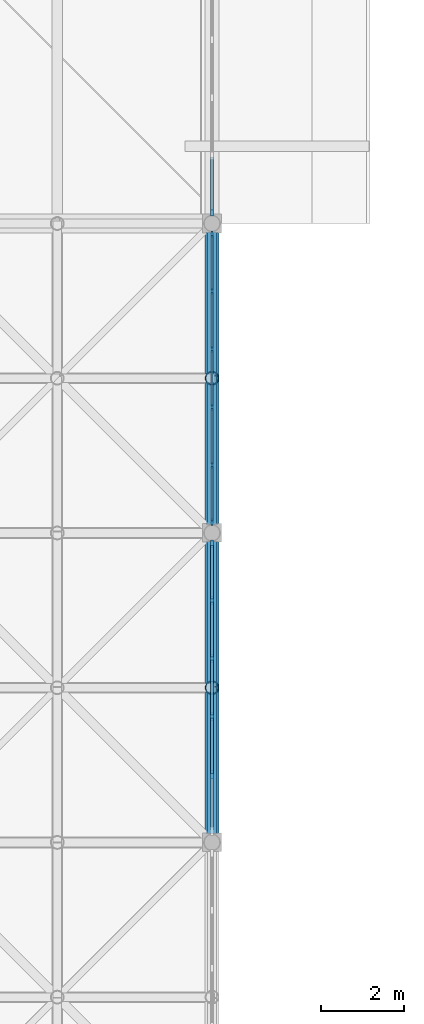
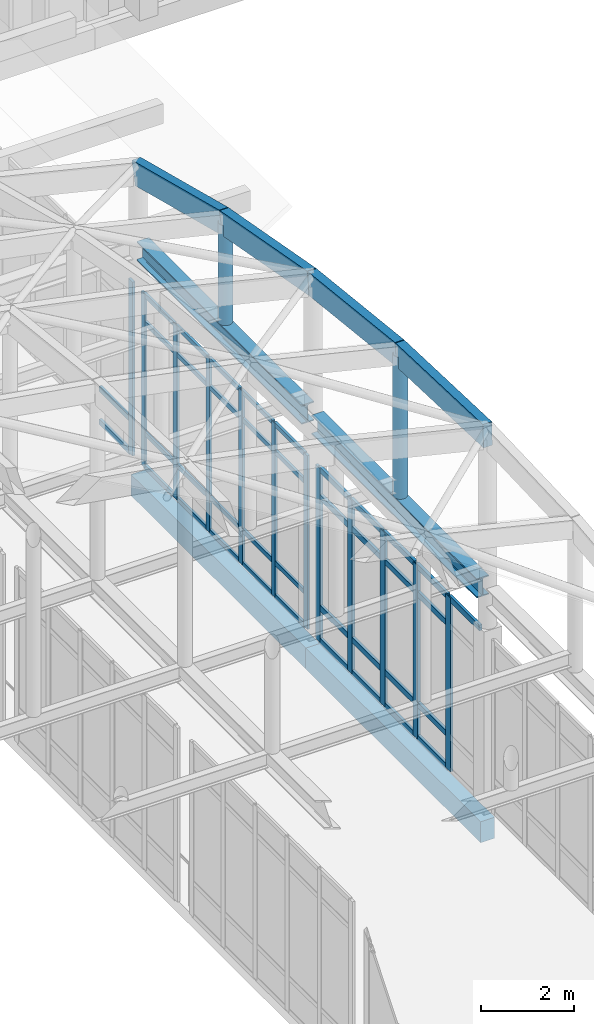
# One storey, part 49 of 131: 57 members, 4 beams, 3 elements without a shape of their own.
"""IFC4 building model written with IfcOpenShell, lengths in metres."""

from ifc_helpers import new_model, si_unit, direction, frame, origin, origin_2d, place, context, subcontext, project, spatial, rectangle, hollow_circle, i_section, extrude, material, layer, layer_set, material_profile, profile_set, type_object, element, aggregate, save


model = new_model("IFC4")

# Units and contexts
model_context = context("Model", 3, precision=1e-05, world=origin(), true_north=direction((0.0, 1.0)))
body_context = subcontext(model_context, "Body", "Model", "MODEL_VIEW")
ifc_project = project(units=[si_unit("LENGTHUNIT", "METRE"), si_unit("AREAUNIT", "SQUARE_METRE"), si_unit("VOLUMEUNIT", "CUBIC_METRE"), si_unit("PLANEANGLEUNIT", "RADIAN"), si_unit("MASSUNIT", "GRAM", prefix="KILO")], contexts=[model_context])

# Site, building, storey
site_placement = place(None, origin())
site = spatial("IfcSite", under=ifc_project, at=site_placement, CompositionType="ELEMENT")
building_placement = place(site_placement, origin())
building = spatial("IfcBuilding", under=site, at=building_placement, Name="Dalvernix Boulevard General Hospital", CompositionType="ELEMENT")
storey_placement = place(building_placement, frame((0.0, 0.0, 9.300048828125)))
storey = spatial("IfcBuildingStorey", under=building, at=storey_placement, Name="L02", CompositionType="ELEMENT", Elevation=9.300048828125)

# Beams
ifc_material_1 = material(Name="Steel S355", Category="steel")
ifc_material_profile_1 = material_profile(ifc_material_1, i_section(OverallWidth=0.300048828125, OverallDepth=0.5, WebThickness=0.014404296875, FlangeThickness=0.028076171875, FilletRadius=0.027099609375, at=origin_2d()), Name="HEB 500")
ifc_profile_set_1 = profile_set([ifc_material_profile_1], Name="Steel S355")
beam_type_1 = type_object("IfcBeamType", Name="BM-RB-02", PredefinedType="BEAM", material=ifc_profile_set_1)
for number, where, z_axis, x_axis, name in (
    (1, (112.5, 46.7099609375, 5.64990234375), (0.0, 1.0, 0.0), (-1.0, 0.0, 0.0), "Gridshell Ring Beam E bay 3"),
    (2, (112.5, 54.2099609375, 5.64990234375), (0.0, 1.0, 0.0), (-1.0, 0.0, 0.0), "Gridshell Ring Beam E bay 4"),
):
    element("IfcBeam", number, at=place(storey_placement, frame(where, z_axis=z_axis, x_axis=x_axis)), inside=storey, type_object=beam_type_1, Name=name, PredefinedType="BEAM", context=body_context, shape_type="SweptSolid", body=[
        extrude(i_section(OverallWidth=0.300048828125, OverallDepth=0.5, WebThickness=0.014404296875, FlangeThickness=0.028076171875, FilletRadius=0.027099609375, at=origin_2d()), origin(), (0.0, 0.0, 1.0), 7.080078125),
    ])
ifc_material_2 = material(Name="Concrete C35/45", Category="concrete")
ifc_material_profile_2 = material_profile(ifc_material_2, rectangle(XDim=0.35009765625, YDim=0.550048828125, at=origin_2d()), Name="RCB 350x550")
ifc_profile_set_2 = profile_set([ifc_material_profile_2], Name="Concrete C35/45")
beam_type_2 = type_object("IfcBeamType", Name="BM-SB-01-E", PredefinedType="SPANDREL", material=ifc_profile_set_2)
for number, where, z_axis, x_axis, name in (
    (3, (112.5, 46.5, -0.594970703125), (0.0, 1.0, 0.0), (-1.0, 0.0, 0.0), "L02 N-S girder 16:G-H"),
    (4, (112.5, 54.0, -0.594970703125), (0.0, 1.0, 0.0), (-1.0, 0.0, 0.0), "L02 N-S girder 16:H-J"),
):
    element("IfcBeam", number, at=place(storey_placement, frame(where, z_axis=z_axis, x_axis=x_axis)), inside=storey, type_object=beam_type_2, Name=name, PredefinedType="SPANDREL", context=body_context, shape_type="SweptSolid", body=[
        extrude(rectangle(XDim=0.35009765625, YDim=0.550048828125, at=origin_2d()), origin(), (0.0, 0.0, 1.0), 7.5),
    ])

# Curtain wall, members
ifc_material_3 = material(Name="Thermally broken aluminium and solar-control glass curtain wall", Category="aluminium")
ifc_layer_1 = layer(ifc_material_3, 0.159912109375)
ifc_layer_set_1 = layer_set([ifc_layer_1], Name="Thermally broken aluminium and solar-control glass curtain wall (CW-CW-A-70x46)")
curtain_wall_type_1 = type_object("IfcCurtainWallType", Name="CW-CW-A-70x46", PredefinedType="USERDEFINED", material=ifc_layer_set_1)
curtain_wall_1_placement = place(storey_placement, origin())
curtain_wall_1 = element("IfcCurtainWall", 5, at=curtain_wall_1_placement, inside=storey, type_object=curtain_wall_type_1, Name="L02 curtain wall CW-A-70x46 15-7", ObjectType="GLAZED FACADE", PredefinedType="USERDEFINED")
ifc_material_4 = material(Name="Aluminium EN AW-6060", Category="aluminium")
ifc_material_profile_3 = material_profile(ifc_material_4, rectangle(XDim=0.06005859375, YDim=0.159912109375, at=origin_2d()), Name="ALU MULL 60x160")
ifc_profile_set_3 = profile_set([ifc_material_profile_3], Name="Aluminium EN AW-6060")
member_type_1 = type_object("IfcMemberType", Name="MEM-CW-M1", PredefinedType="MULLION", material=ifc_profile_set_3)
member_1_placement = place(storey_placement, frame((112.5, 61.235107421875, 0.0), z_axis=(0.0, 0.0, 1.0), x_axis=(1.0, 0.0, 0.0)))
member_1 = element("IfcMember", 6, at=member_1_placement, type_object=member_type_1, Name="CW-A-70x46 mullion 1", PredefinedType="MULLION", context=body_context, shape_type="SweptSolid", body=[
    extrude(rectangle(XDim=0.06005859375, YDim=0.159912109375, at=origin_2d()), origin(), (0.0, 0.0, 1.0), 4.550048828125),
])
member_2_placement = place(storey_placement, frame((112.5, 59.85888671875, 0.0), z_axis=(0.0, 0.0, 1.0), x_axis=(1.0, 0.0, 0.0)))
member_2 = element("IfcMember", 7, at=member_2_placement, type_object=member_type_1, Name="CW-A-70x46 mullion 2", PredefinedType="MULLION", context=body_context, shape_type="SweptSolid", body=[
    extrude(rectangle(XDim=0.06005859375, YDim=0.159912109375, at=origin_2d()), origin(), (0.0, 0.0, 1.0), 4.550048828125),
])
member_3_placement = place(storey_placement, frame((112.5, 58.452880859375, 0.0), z_axis=(0.0, 0.0, 1.0), x_axis=(1.0, 0.0, 0.0)))
member_3 = element("IfcMember", 8, at=member_3_placement, type_object=member_type_1, Name="CW-A-70x46 mullion 3", PredefinedType="MULLION", context=body_context, shape_type="SweptSolid", body=[
    extrude(rectangle(XDim=0.06005859375, YDim=0.159912109375, at=origin_2d()), origin(), (0.0, 0.0, 1.0), 4.550048828125),
])
member_4_placement = place(storey_placement, frame((112.5, 57.047119140625, 0.0), z_axis=(0.0, 0.0, 1.0), x_axis=(1.0, 0.0, 0.0)))
member_4 = element("IfcMember", 9, at=member_4_placement, type_object=member_type_1, Name="CW-A-70x46 mullion 4", PredefinedType="MULLION", context=body_context, shape_type="SweptSolid", body=[
    extrude(rectangle(XDim=0.06005859375, YDim=0.159912109375, at=origin_2d()), origin(), (0.0, 0.0, 1.0), 4.550048828125),
])
member_5_placement = place(storey_placement, frame((112.5, 55.64111328125, 0.0), z_axis=(0.0, 0.0, 1.0), x_axis=(1.0, 0.0, 0.0)))
member_5 = element("IfcMember", 10, at=member_5_placement, type_object=member_type_1, Name="CW-A-70x46 mullion 5", PredefinedType="MULLION", context=body_context, shape_type="SweptSolid", body=[
    extrude(rectangle(XDim=0.06005859375, YDim=0.159912109375, at=origin_2d()), origin(), (0.0, 0.0, 1.0), 4.550048828125),
])
member_6_placement = place(storey_placement, frame((112.5, 54.264892578125, 0.0), z_axis=(0.0, 0.0, 1.0), x_axis=(1.0, 0.0, 0.0)))
member_6 = element("IfcMember", 11, at=member_6_placement, type_object=member_type_1, Name="CW-A-70x46 mullion 6", PredefinedType="MULLION", context=body_context, shape_type="SweptSolid", body=[
    extrude(rectangle(XDim=0.06005859375, YDim=0.159912109375, at=origin_2d()), origin(), (0.0, 0.0, 1.0), 4.550048828125),
])

# Curtain wall, member
ifc_layer_2 = layer(ifc_material_3, 0.179931640625)
ifc_layer_set_2 = layer_set([ifc_layer_2], Name="Thermally broken aluminium and solar-control glass curtain wall (CW-CW-B-70x46)")
curtain_wall_type_2 = type_object("IfcCurtainWallType", Name="CW-CW-B-70x46", PredefinedType="USERDEFINED", material=ifc_layer_set_2)
curtain_wall_2_placement = place(storey_placement, origin())
curtain_wall_2 = element("IfcCurtainWall", 12, at=curtain_wall_2_placement, inside=storey, type_object=curtain_wall_type_2, Name="L02 curtain wall CW-B-70x46 15-8", ObjectType="GLAZED FACADE", PredefinedType="USERDEFINED")
ifc_material_profile_4 = material_profile(ifc_material_4, rectangle(XDim=0.06494140625, YDim=0.179931640625, at=origin_2d()), Name="ALU MULL 65x180")
ifc_profile_set_4 = profile_set([ifc_material_profile_4], Name="Aluminium EN AW-6060")
member_type_2 = type_object("IfcMemberType", Name="MEM-CW-M2", PredefinedType="MULLION", material=ifc_profile_set_4)
member_7_placement = place(storey_placement, frame((112.5, 61.767578125, 0.0), z_axis=(0.0, 0.0, 1.0), x_axis=(1.0, 0.0, 0.0)))
member_7 = element("IfcMember", 13, at=member_7_placement, type_object=member_type_2, Name="CW-B-70x46 mullion 6", PredefinedType="MULLION", context=body_context, shape_type="SweptSolid", body=[
    extrude(rectangle(XDim=0.06494140625, YDim=0.179931640625, at=origin_2d()), origin(), (0.0, 0.0, 1.0), 4.550048828125),
])

# Curtain wall, members
ifc_layer_3 = layer(ifc_material_3, 0.199951171875)
ifc_layer_set_3 = layer_set([ifc_layer_3], Name="Thermally broken aluminium and solar-control glass curtain wall (CW-CW-C-70x46)")
curtain_wall_type_3 = type_object("IfcCurtainWallType", Name="CW-CW-C-70x46", PredefinedType="USERDEFINED", material=ifc_layer_set_3)
curtain_wall_3_placement = place(storey_placement, origin())
curtain_wall_3 = element("IfcCurtainWall", 14, at=curtain_wall_3_placement, inside=storey, type_object=curtain_wall_type_3, Name="L02 curtain wall CW-C-70x46 15-6", ObjectType="GLAZED FACADE", PredefinedType="USERDEFINED")
ifc_material_profile_5 = material_profile(ifc_material_4, rectangle(XDim=0.070068359375, YDim=0.199951171875, at=origin_2d()), Name="ALU MULL 70x200")
ifc_profile_set_5 = profile_set([ifc_material_profile_5], Name="Aluminium EN AW-6060")
member_type_3 = type_object("IfcMemberType", Name="MEM-CW-M3", PredefinedType="MULLION", material=ifc_profile_set_5)
member_8_placement = place(storey_placement, frame((112.5, 53.72998046875, 0.0), z_axis=(0.0, 0.0, 1.0), x_axis=(1.0, 0.0, 0.0)))
member_8 = element("IfcMember", 15, at=member_8_placement, type_object=member_type_3, Name="CW-C-70x46 mullion 1", PredefinedType="MULLION", context=body_context, shape_type="SweptSolid", body=[
    extrude(rectangle(XDim=0.070068359375, YDim=0.199951171875, at=origin_2d()), origin(), (0.0, 0.0, 1.0), 4.550048828125),
])
member_9_placement = place(storey_placement, frame((112.5, 52.35888671875, 0.0), z_axis=(0.0, 0.0, 1.0), x_axis=(1.0, 0.0, 0.0)))
member_9 = element("IfcMember", 16, at=member_9_placement, type_object=member_type_3, Name="CW-C-70x46 mullion 2", PredefinedType="MULLION", context=body_context, shape_type="SweptSolid", body=[
    extrude(rectangle(XDim=0.070068359375, YDim=0.199951171875, at=origin_2d()), origin(), (0.0, 0.0, 1.0), 4.550048828125),
])
member_10_placement = place(storey_placement, frame((112.5, 50.952880859375, 0.0), z_axis=(0.0, 0.0, 1.0), x_axis=(1.0, 0.0, 0.0)))
member_10 = element("IfcMember", 17, at=member_10_placement, type_object=member_type_3, Name="CW-C-70x46 mullion 3", PredefinedType="MULLION", context=body_context, shape_type="SweptSolid", body=[
    extrude(rectangle(XDim=0.070068359375, YDim=0.199951171875, at=origin_2d()), origin(), (0.0, 0.0, 1.0), 4.550048828125),
])
member_11_placement = place(storey_placement, frame((112.5, 49.547119140625, 0.0), z_axis=(0.0, 0.0, 1.0), x_axis=(1.0, 0.0, 0.0)))
member_11 = element("IfcMember", 18, at=member_11_placement, type_object=member_type_3, Name="CW-C-70x46 mullion 4", PredefinedType="MULLION", context=body_context, shape_type="SweptSolid", body=[
    extrude(rectangle(XDim=0.070068359375, YDim=0.199951171875, at=origin_2d()), origin(), (0.0, 0.0, 1.0), 4.550048828125),
])
member_12_placement = place(storey_placement, frame((112.5, 48.14111328125, 0.0), z_axis=(0.0, 0.0, 1.0), x_axis=(1.0, 0.0, 0.0)))
member_12 = element("IfcMember", 19, at=member_12_placement, type_object=member_type_3, Name="CW-C-70x46 mullion 5", PredefinedType="MULLION", context=body_context, shape_type="SweptSolid", body=[
    extrude(rectangle(XDim=0.070068359375, YDim=0.199951171875, at=origin_2d()), origin(), (0.0, 0.0, 1.0), 4.550048828125),
])

# Member
ifc_material_profile_6 = material_profile(ifc_material_4, rectangle(XDim=0.06005859375, YDim=0.1201171875, at=origin_2d()), Name="ALU TRAN 60x120")
ifc_profile_set_6 = profile_set([ifc_material_profile_6], Name="Aluminium EN AW-6060")
member_type_4 = type_object("IfcMemberType", Name="MEM-CW-T1", PredefinedType="USERDEFINED", material=ifc_profile_set_6)
member_13_placement = place(storey_placement, frame((112.5, 61.205078125, 0.030029296875), z_axis=(0.0, -1.0, 0.0), x_axis=(1.0, 0.0, 0.0)))
member_13 = element("IfcMember", 20, at=member_13_placement, type_object=member_type_4, Name="CW-A-70x46 transom 1.1", ObjectType="TRANSOM", PredefinedType="USERDEFINED", context=body_context, shape_type="SweptSolid", body=[
    extrude(rectangle(XDim=0.06005859375, YDim=0.1201171875, at=origin_2d()), origin(), (0.0, 0.0, 1.0), 1.316162109375),
])

member_14_placement = place(storey_placement, frame((112.5, 61.205078125, 0.89990234375), z_axis=(0.0, -1.0, 0.0), x_axis=(1.0, 0.0, 0.0)))
member_14 = element("IfcMember", 21, at=member_14_placement, type_object=member_type_4, Name="CW-A-70x46 transom 1.2", ObjectType="TRANSOM", PredefinedType="USERDEFINED", context=body_context, shape_type="SweptSolid", body=[
    extrude(rectangle(XDim=0.06005859375, YDim=0.1201171875, at=origin_2d()), origin(), (0.0, 0.0, 1.0), 1.316162109375),
])

member_15_placement = place(storey_placement, frame((112.5, 61.205078125, 3.800048828125), z_axis=(0.0, -1.0, 0.0), x_axis=(1.0, 0.0, 0.0)))
member_15 = element("IfcMember", 22, at=member_15_placement, type_object=member_type_4, Name="CW-A-70x46 transom 1.3", ObjectType="TRANSOM", PredefinedType="USERDEFINED", context=body_context, shape_type="SweptSolid", body=[
    extrude(rectangle(XDim=0.06005859375, YDim=0.1201171875, at=origin_2d()), origin(), (0.0, 0.0, 1.0), 1.316162109375),
])

member_16_placement = place(storey_placement, frame((112.5, 61.205078125, 4.52001953125), z_axis=(0.0, -1.0, 0.0), x_axis=(1.0, 0.0, 0.0)))
member_16 = element("IfcMember", 23, at=member_16_placement, type_object=member_type_4, Name="CW-A-70x46 transom 1.4", ObjectType="TRANSOM", PredefinedType="USERDEFINED", context=body_context, shape_type="SweptSolid", body=[
    extrude(rectangle(XDim=0.06005859375, YDim=0.1201171875, at=origin_2d()), origin(), (0.0, 0.0, 1.0), 1.316162109375),
])

member_17_placement = place(storey_placement, frame((112.5, 59.8291015625, 0.030029296875), z_axis=(0.0, -1.0, 0.0), x_axis=(1.0, 0.0, 0.0)))
member_17 = element("IfcMember", 24, at=member_17_placement, type_object=member_type_4, Name="CW-A-70x46 transom 2.1", ObjectType="TRANSOM", PredefinedType="USERDEFINED", context=body_context, shape_type="SweptSolid", body=[
    extrude(rectangle(XDim=0.06005859375, YDim=0.1201171875, at=origin_2d()), origin(), (0.0, 0.0, 1.0), 1.34619140625),
])

member_18_placement = place(storey_placement, frame((112.5, 59.8291015625, 0.89990234375), z_axis=(0.0, -1.0, 0.0), x_axis=(1.0, 0.0, 0.0)))
member_18 = element("IfcMember", 25, at=member_18_placement, type_object=member_type_4, Name="CW-A-70x46 transom 2.2", ObjectType="TRANSOM", PredefinedType="USERDEFINED", context=body_context, shape_type="SweptSolid", body=[
    extrude(rectangle(XDim=0.06005859375, YDim=0.1201171875, at=origin_2d()), origin(), (0.0, 0.0, 1.0), 1.34619140625),
])

member_19_placement = place(storey_placement, frame((112.5, 59.8291015625, 3.800048828125), z_axis=(0.0, -1.0, 0.0), x_axis=(1.0, 0.0, 0.0)))
member_19 = element("IfcMember", 26, at=member_19_placement, type_object=member_type_4, Name="CW-A-70x46 transom 2.3", ObjectType="TRANSOM", PredefinedType="USERDEFINED", context=body_context, shape_type="SweptSolid", body=[
    extrude(rectangle(XDim=0.06005859375, YDim=0.1201171875, at=origin_2d()), origin(), (0.0, 0.0, 1.0), 1.34619140625),
])

member_20_placement = place(storey_placement, frame((112.5, 59.8291015625, 4.52001953125), z_axis=(0.0, -1.0, 0.0), x_axis=(1.0, 0.0, 0.0)))
member_20 = element("IfcMember", 27, at=member_20_placement, type_object=member_type_4, Name="CW-A-70x46 transom 2.4", ObjectType="TRANSOM", PredefinedType="USERDEFINED", context=body_context, shape_type="SweptSolid", body=[
    extrude(rectangle(XDim=0.06005859375, YDim=0.1201171875, at=origin_2d()), origin(), (0.0, 0.0, 1.0), 1.34619140625),
])

member_21_placement = place(storey_placement, frame((112.5, 58.423095703125, 0.030029296875), z_axis=(0.0, -1.0, 0.0), x_axis=(1.0, 0.0, 0.0)))
member_21 = element("IfcMember", 28, at=member_21_placement, type_object=member_type_4, Name="CW-A-70x46 transom 3.1", ObjectType="TRANSOM", PredefinedType="USERDEFINED", context=body_context, shape_type="SweptSolid", body=[
    extrude(rectangle(XDim=0.06005859375, YDim=0.1201171875, at=origin_2d()), origin(), (0.0, 0.0, 1.0), 1.34619140625),
])

member_22_placement = place(storey_placement, frame((112.5, 58.423095703125, 0.89990234375), z_axis=(0.0, -1.0, 0.0), x_axis=(1.0, 0.0, 0.0)))
member_22 = element("IfcMember", 29, at=member_22_placement, type_object=member_type_4, Name="CW-A-70x46 transom 3.2", ObjectType="TRANSOM", PredefinedType="USERDEFINED", context=body_context, shape_type="SweptSolid", body=[
    extrude(rectangle(XDim=0.06005859375, YDim=0.1201171875, at=origin_2d()), origin(), (0.0, 0.0, 1.0), 1.34619140625),
])

member_23_placement = place(storey_placement, frame((112.5, 58.423095703125, 3.800048828125), z_axis=(0.0, -1.0, 0.0), x_axis=(1.0, 0.0, 0.0)))
member_23 = element("IfcMember", 30, at=member_23_placement, type_object=member_type_4, Name="CW-A-70x46 transom 3.3", ObjectType="TRANSOM", PredefinedType="USERDEFINED", context=body_context, shape_type="SweptSolid", body=[
    extrude(rectangle(XDim=0.06005859375, YDim=0.1201171875, at=origin_2d()), origin(), (0.0, 0.0, 1.0), 1.34619140625),
])

member_24_placement = place(storey_placement, frame((112.5, 58.423095703125, 4.52001953125), z_axis=(0.0, -1.0, 0.0), x_axis=(1.0, 0.0, 0.0)))
member_24 = element("IfcMember", 31, at=member_24_placement, type_object=member_type_4, Name="CW-A-70x46 transom 3.4", ObjectType="TRANSOM", PredefinedType="USERDEFINED", context=body_context, shape_type="SweptSolid", body=[
    extrude(rectangle(XDim=0.06005859375, YDim=0.1201171875, at=origin_2d()), origin(), (0.0, 0.0, 1.0), 1.34619140625),
])

member_25_placement = place(storey_placement, frame((112.5, 57.01708984375, 0.030029296875), z_axis=(0.0, -1.0, 0.0), x_axis=(1.0, 0.0, 0.0)))
member_25 = element("IfcMember", 32, at=member_25_placement, type_object=member_type_4, Name="CW-A-70x46 transom 4.1", ObjectType="TRANSOM", PredefinedType="USERDEFINED", context=body_context, shape_type="SweptSolid", body=[
    extrude(rectangle(XDim=0.06005859375, YDim=0.1201171875, at=origin_2d()), origin(), (0.0, 0.0, 1.0), 1.34619140625),
])

member_26_placement = place(storey_placement, frame((112.5, 57.01708984375, 0.89990234375), z_axis=(0.0, -1.0, 0.0), x_axis=(1.0, 0.0, 0.0)))
member_26 = element("IfcMember", 33, at=member_26_placement, type_object=member_type_4, Name="CW-A-70x46 transom 4.2", ObjectType="TRANSOM", PredefinedType="USERDEFINED", context=body_context, shape_type="SweptSolid", body=[
    extrude(rectangle(XDim=0.06005859375, YDim=0.1201171875, at=origin_2d()), origin(), (0.0, 0.0, 1.0), 1.34619140625),
])

member_27_placement = place(storey_placement, frame((112.5, 57.01708984375, 3.800048828125), z_axis=(0.0, -1.0, 0.0), x_axis=(1.0, 0.0, 0.0)))
member_27 = element("IfcMember", 34, at=member_27_placement, type_object=member_type_4, Name="CW-A-70x46 transom 4.3", ObjectType="TRANSOM", PredefinedType="USERDEFINED", context=body_context, shape_type="SweptSolid", body=[
    extrude(rectangle(XDim=0.06005859375, YDim=0.1201171875, at=origin_2d()), origin(), (0.0, 0.0, 1.0), 1.34619140625),
])

member_28_placement = place(storey_placement, frame((112.5, 57.01708984375, 4.52001953125), z_axis=(0.0, -1.0, 0.0), x_axis=(1.0, 0.0, 0.0)))
member_28 = element("IfcMember", 35, at=member_28_placement, type_object=member_type_4, Name="CW-A-70x46 transom 4.4", ObjectType="TRANSOM", PredefinedType="USERDEFINED", context=body_context, shape_type="SweptSolid", body=[
    extrude(rectangle(XDim=0.06005859375, YDim=0.1201171875, at=origin_2d()), origin(), (0.0, 0.0, 1.0), 1.34619140625),
])

member_29_placement = place(storey_placement, frame((112.5, 55.611083984375, 0.030029296875), z_axis=(0.0, -1.0, 0.0), x_axis=(1.0, 0.0, 0.0)))
member_29 = element("IfcMember", 36, at=member_29_placement, type_object=member_type_4, Name="CW-A-70x46 transom 5.1", ObjectType="TRANSOM", PredefinedType="USERDEFINED", context=body_context, shape_type="SweptSolid", body=[
    extrude(rectangle(XDim=0.06005859375, YDim=0.1201171875, at=origin_2d()), origin(), (0.0, 0.0, 1.0), 1.316162109375),
])

member_30_placement = place(storey_placement, frame((112.5, 55.611083984375, 0.89990234375), z_axis=(0.0, -1.0, 0.0), x_axis=(1.0, 0.0, 0.0)))
member_30 = element("IfcMember", 37, at=member_30_placement, type_object=member_type_4, Name="CW-A-70x46 transom 5.2", ObjectType="TRANSOM", PredefinedType="USERDEFINED", context=body_context, shape_type="SweptSolid", body=[
    extrude(rectangle(XDim=0.06005859375, YDim=0.1201171875, at=origin_2d()), origin(), (0.0, 0.0, 1.0), 1.316162109375),
])

member_31_placement = place(storey_placement, frame((112.5, 55.611083984375, 3.800048828125), z_axis=(0.0, -1.0, 0.0), x_axis=(1.0, 0.0, 0.0)))
member_31 = element("IfcMember", 38, at=member_31_placement, type_object=member_type_4, Name="CW-A-70x46 transom 5.3", ObjectType="TRANSOM", PredefinedType="USERDEFINED", context=body_context, shape_type="SweptSolid", body=[
    extrude(rectangle(XDim=0.06005859375, YDim=0.1201171875, at=origin_2d()), origin(), (0.0, 0.0, 1.0), 1.316162109375),
])

member_32_placement = place(storey_placement, frame((112.5, 55.611083984375, 4.52001953125), z_axis=(0.0, -1.0, 0.0), x_axis=(1.0, 0.0, 0.0)))
member_32 = element("IfcMember", 39, at=member_32_placement, type_object=member_type_4, Name="CW-A-70x46 transom 5.4", ObjectType="TRANSOM", PredefinedType="USERDEFINED", context=body_context, shape_type="SweptSolid", body=[
    extrude(rectangle(XDim=0.06005859375, YDim=0.1201171875, at=origin_2d()), origin(), (0.0, 0.0, 1.0), 1.316162109375),
])

aggregate(curtain_wall_1, [member_1, member_2, member_3, member_4, member_5, member_6, member_13, member_14, member_15, member_16, member_17, member_18, member_19, member_20, member_21, member_22, member_23, member_24, member_25, member_26, member_27, member_28, member_29, member_30, member_31, member_32])

ifc_material_profile_7 = material_profile(ifc_material_4, rectangle(XDim=0.06494140625, YDim=0.139892578125, at=origin_2d()), Name="ALU TRAN 65x140")
ifc_profile_set_7 = profile_set([ifc_material_profile_7], Name="Aluminium EN AW-6060")
member_type_5 = type_object("IfcMemberType", Name="MEM-CW-T2", PredefinedType="USERDEFINED", material=ifc_profile_set_7)
member_33_placement = place(storey_placement, frame((112.5, 63.1083984375, 0.032470703125), z_axis=(0.0, -1.0, 0.0), x_axis=(1.0, 0.0, 0.0)))
member_33 = element("IfcMember", 40, at=member_33_placement, type_object=member_type_5, Name="CW-B-70x46 transom 5.1", ObjectType="TRANSOM", PredefinedType="USERDEFINED", context=body_context, shape_type="SweptSolid", body=[
    extrude(rectangle(XDim=0.06494140625, YDim=0.139892578125, at=origin_2d()), origin(), (0.0, 0.0, 1.0), 1.308349609375),
])

member_34_placement = place(storey_placement, frame((112.5, 63.1083984375, 0.89990234375), z_axis=(0.0, -1.0, 0.0), x_axis=(1.0, 0.0, 0.0)))
member_34 = element("IfcMember", 41, at=member_34_placement, type_object=member_type_5, Name="CW-B-70x46 transom 5.2", ObjectType="TRANSOM", PredefinedType="USERDEFINED", context=body_context, shape_type="SweptSolid", body=[
    extrude(rectangle(XDim=0.06494140625, YDim=0.139892578125, at=origin_2d()), origin(), (0.0, 0.0, 1.0), 1.308349609375),
])

aggregate(curtain_wall_2, [member_7, member_33, member_34])

ifc_material_profile_8 = material_profile(ifc_material_4, rectangle(XDim=0.070068359375, YDim=0.14990234375, at=origin_2d()), Name="ALU TRAN 70x150")
ifc_profile_set_8 = profile_set([ifc_material_profile_8], Name="Aluminium EN AW-6060")
member_type_6 = type_object("IfcMemberType", Name="MEM-CW-T3", PredefinedType="USERDEFINED", material=ifc_profile_set_8)
member_35_placement = place(storey_placement, frame((112.5, 53.695068359375, 0.034912109375), z_axis=(0.0, -1.0, 0.0), x_axis=(1.0, 0.0, 0.0)))
member_35 = element("IfcMember", 42, at=member_35_placement, type_object=member_type_6, Name="CW-C-70x46 transom 1.1", ObjectType="TRANSOM", PredefinedType="USERDEFINED", context=body_context, shape_type="SweptSolid", body=[
    extrude(rectangle(XDim=0.070068359375, YDim=0.14990234375, at=origin_2d()), origin(), (0.0, 0.0, 1.0), 1.301025390625),
])

member_36_placement = place(storey_placement, frame((112.5, 53.695068359375, 0.89990234375), z_axis=(0.0, -1.0, 0.0), x_axis=(1.0, 0.0, 0.0)))
member_36 = element("IfcMember", 43, at=member_36_placement, type_object=member_type_6, Name="CW-C-70x46 transom 1.2", ObjectType="TRANSOM", PredefinedType="USERDEFINED", context=body_context, shape_type="SweptSolid", body=[
    extrude(rectangle(XDim=0.070068359375, YDim=0.14990234375, at=origin_2d()), origin(), (0.0, 0.0, 1.0), 1.301025390625),
])

member_37_placement = place(storey_placement, frame((112.5, 53.695068359375, 3.800048828125), z_axis=(0.0, -1.0, 0.0), x_axis=(1.0, 0.0, 0.0)))
member_37 = element("IfcMember", 44, at=member_37_placement, type_object=member_type_6, Name="CW-C-70x46 transom 1.3", ObjectType="TRANSOM", PredefinedType="USERDEFINED", context=body_context, shape_type="SweptSolid", body=[
    extrude(rectangle(XDim=0.070068359375, YDim=0.14990234375, at=origin_2d()), origin(), (0.0, 0.0, 1.0), 1.301025390625),
])

member_38_placement = place(storey_placement, frame((112.5, 53.695068359375, 4.514892578125), z_axis=(0.0, -1.0, 0.0), x_axis=(1.0, 0.0, 0.0)))
member_38 = element("IfcMember", 45, at=member_38_placement, type_object=member_type_6, Name="CW-C-70x46 transom 1.4", ObjectType="TRANSOM", PredefinedType="USERDEFINED", context=body_context, shape_type="SweptSolid", body=[
    extrude(rectangle(XDim=0.070068359375, YDim=0.14990234375, at=origin_2d()), origin(), (0.0, 0.0, 1.0), 1.301025390625),
])

member_39_placement = place(storey_placement, frame((112.5, 52.323974609375, 0.034912109375), z_axis=(0.0, -1.0, 0.0), x_axis=(1.0, 0.0, 0.0)))
member_39 = element("IfcMember", 46, at=member_39_placement, type_object=member_type_6, Name="CW-C-70x46 transom 2.1", ObjectType="TRANSOM", PredefinedType="USERDEFINED", context=body_context, shape_type="SweptSolid", body=[
    extrude(rectangle(XDim=0.070068359375, YDim=0.14990234375, at=origin_2d()), origin(), (0.0, 0.0, 1.0), 1.3359375),
])

member_40_placement = place(storey_placement, frame((112.5, 52.323974609375, 0.89990234375), z_axis=(0.0, -1.0, 0.0), x_axis=(1.0, 0.0, 0.0)))
member_40 = element("IfcMember", 47, at=member_40_placement, type_object=member_type_6, Name="CW-C-70x46 transom 2.2", ObjectType="TRANSOM", PredefinedType="USERDEFINED", context=body_context, shape_type="SweptSolid", body=[
    extrude(rectangle(XDim=0.070068359375, YDim=0.14990234375, at=origin_2d()), origin(), (0.0, 0.0, 1.0), 1.3359375),
])

member_41_placement = place(storey_placement, frame((112.5, 52.323974609375, 3.800048828125), z_axis=(0.0, -1.0, 0.0), x_axis=(1.0, 0.0, 0.0)))
member_41 = element("IfcMember", 48, at=member_41_placement, type_object=member_type_6, Name="CW-C-70x46 transom 2.3", ObjectType="TRANSOM", PredefinedType="USERDEFINED", context=body_context, shape_type="SweptSolid", body=[
    extrude(rectangle(XDim=0.070068359375, YDim=0.14990234375, at=origin_2d()), origin(), (0.0, 0.0, 1.0), 1.3359375),
])

member_42_placement = place(storey_placement, frame((112.5, 52.323974609375, 4.514892578125), z_axis=(0.0, -1.0, 0.0), x_axis=(1.0, 0.0, 0.0)))
member_42 = element("IfcMember", 49, at=member_42_placement, type_object=member_type_6, Name="CW-C-70x46 transom 2.4", ObjectType="TRANSOM", PredefinedType="USERDEFINED", context=body_context, shape_type="SweptSolid", body=[
    extrude(rectangle(XDim=0.070068359375, YDim=0.14990234375, at=origin_2d()), origin(), (0.0, 0.0, 1.0), 1.3359375),
])

member_43_placement = place(storey_placement, frame((112.5, 50.91796875, 0.034912109375), z_axis=(0.0, -1.0, 0.0), x_axis=(1.0, 0.0, 0.0)))
member_43 = element("IfcMember", 50, at=member_43_placement, type_object=member_type_6, Name="CW-C-70x46 transom 3.1", ObjectType="TRANSOM", PredefinedType="USERDEFINED", context=body_context, shape_type="SweptSolid", body=[
    extrude(rectangle(XDim=0.070068359375, YDim=0.14990234375, at=origin_2d()), origin(), (0.0, 0.0, 1.0), 1.3359375),
])

member_44_placement = place(storey_placement, frame((112.5, 50.91796875, 0.89990234375), z_axis=(0.0, -1.0, 0.0), x_axis=(1.0, 0.0, 0.0)))
member_44 = element("IfcMember", 51, at=member_44_placement, type_object=member_type_6, Name="CW-C-70x46 transom 3.2", ObjectType="TRANSOM", PredefinedType="USERDEFINED", context=body_context, shape_type="SweptSolid", body=[
    extrude(rectangle(XDim=0.070068359375, YDim=0.14990234375, at=origin_2d()), origin(), (0.0, 0.0, 1.0), 1.3359375),
])

member_45_placement = place(storey_placement, frame((112.5, 50.91796875, 3.800048828125), z_axis=(0.0, -1.0, 0.0), x_axis=(1.0, 0.0, 0.0)))
member_45 = element("IfcMember", 52, at=member_45_placement, type_object=member_type_6, Name="CW-C-70x46 transom 3.3", ObjectType="TRANSOM", PredefinedType="USERDEFINED", context=body_context, shape_type="SweptSolid", body=[
    extrude(rectangle(XDim=0.070068359375, YDim=0.14990234375, at=origin_2d()), origin(), (0.0, 0.0, 1.0), 1.3359375),
])

member_46_placement = place(storey_placement, frame((112.5, 50.91796875, 4.514892578125), z_axis=(0.0, -1.0, 0.0), x_axis=(1.0, 0.0, 0.0)))
member_46 = element("IfcMember", 53, at=member_46_placement, type_object=member_type_6, Name="CW-C-70x46 transom 3.4", ObjectType="TRANSOM", PredefinedType="USERDEFINED", context=body_context, shape_type="SweptSolid", body=[
    extrude(rectangle(XDim=0.070068359375, YDim=0.14990234375, at=origin_2d()), origin(), (0.0, 0.0, 1.0), 1.3359375),
])

member_47_placement = place(storey_placement, frame((112.5, 49.511962890625, 0.034912109375), z_axis=(0.0, -1.0, 0.0), x_axis=(1.0, 0.0, 0.0)))
member_47 = element("IfcMember", 54, at=member_47_placement, type_object=member_type_6, Name="CW-C-70x46 transom 4.1", ObjectType="TRANSOM", PredefinedType="USERDEFINED", context=body_context, shape_type="SweptSolid", body=[
    extrude(rectangle(XDim=0.070068359375, YDim=0.14990234375, at=origin_2d()), origin(), (0.0, 0.0, 1.0), 1.3359375),
])

member_48_placement = place(storey_placement, frame((112.5, 49.511962890625, 0.89990234375), z_axis=(0.0, -1.0, 0.0), x_axis=(1.0, 0.0, 0.0)))
member_48 = element("IfcMember", 55, at=member_48_placement, type_object=member_type_6, Name="CW-C-70x46 transom 4.2", ObjectType="TRANSOM", PredefinedType="USERDEFINED", context=body_context, shape_type="SweptSolid", body=[
    extrude(rectangle(XDim=0.070068359375, YDim=0.14990234375, at=origin_2d()), origin(), (0.0, 0.0, 1.0), 1.3359375),
])

member_49_placement = place(storey_placement, frame((112.5, 49.511962890625, 3.800048828125), z_axis=(0.0, -1.0, 0.0), x_axis=(1.0, 0.0, 0.0)))
member_49 = element("IfcMember", 56, at=member_49_placement, type_object=member_type_6, Name="CW-C-70x46 transom 4.3", ObjectType="TRANSOM", PredefinedType="USERDEFINED", context=body_context, shape_type="SweptSolid", body=[
    extrude(rectangle(XDim=0.070068359375, YDim=0.14990234375, at=origin_2d()), origin(), (0.0, 0.0, 1.0), 1.3359375),
])

member_50_placement = place(storey_placement, frame((112.5, 49.511962890625, 4.514892578125), z_axis=(0.0, -1.0, 0.0), x_axis=(1.0, 0.0, 0.0)))
member_50 = element("IfcMember", 57, at=member_50_placement, type_object=member_type_6, Name="CW-C-70x46 transom 4.4", ObjectType="TRANSOM", PredefinedType="USERDEFINED", context=body_context, shape_type="SweptSolid", body=[
    extrude(rectangle(XDim=0.070068359375, YDim=0.14990234375, at=origin_2d()), origin(), (0.0, 0.0, 1.0), 1.3359375),
])

member_51_placement = place(storey_placement, frame((112.5, 48.10595703125, 4.514892578125), z_axis=(0.0, -1.0, 0.0), x_axis=(1.0, 0.0, 0.0)))
member_51 = element("IfcMember", 58, at=member_51_placement, type_object=member_type_6, Name="CW-C-70x46 transom 5.4", ObjectType="TRANSOM", PredefinedType="USERDEFINED", context=body_context, shape_type="SweptSolid", body=[
    extrude(rectangle(XDim=0.070068359375, YDim=0.14990234375, at=origin_2d()), origin(), (0.0, 0.0, 1.0), 1.301025390625),
])

aggregate(curtain_wall_3, [member_8, member_9, member_10, member_11, member_12, member_35, member_36, member_37, member_38, member_39, member_40, member_41, member_42, member_43, member_44, member_45, member_46, member_47, member_48, member_49, member_50, member_51])

# Members
ifc_material_5 = material(Name="Glulam GL28h", Category="wood")
ifc_material_profile_9 = material_profile(ifc_material_5, rectangle(XDim=0.219970703125, YDim=0.60009765625, at=origin_2d()), Name="GL28h 220x600")
ifc_profile_set_9 = profile_set([ifc_material_profile_9], Name="Glulam GL28h")
member_type_7 = type_object("IfcMemberType", Name="MEM-GS-C1", PredefinedType="CHORD", material=ifc_profile_set_9)
member_52_placement = place(storey_placement, frame((112.5, 46.5, 9.75), z_axis=(0.0, 0.999328931228, -0.036629048716), x_axis=(-1.0, 0.0, 0.0)))
element("IfcMember", 59, at=member_52_placement, inside=storey, type_object=member_type_7, Name="ROOF TRUSS Gridshell N-S glulam rib 15-5", PredefinedType="CHORD", context=body_context, shape_type="SweptSolid", body=[
    extrude(rectangle(XDim=0.219970703125, YDim=0.60009765625, at=origin_2d()), origin(), (0.0, 0.0, 1.0), 3.75244140625),
])
member_53_placement = place(storey_placement, frame((112.5, 50.25, 9.612548828125), z_axis=(0.0, 0.994001542248, -0.109366055104), x_axis=(-1.0, 0.0, 0.0)))
element("IfcMember", 60, at=member_53_placement, inside=storey, type_object=member_type_7, Name="ROOF TRUSS Gridshell N-S glulam rib 15-6", PredefinedType="CHORD", context=body_context, shape_type="SweptSolid", body=[
    extrude(rectangle(XDim=0.219970703125, YDim=0.60009765625, at=origin_2d()), origin(), (0.0, 0.0, 1.0), 3.772705078125),
])
member_54_placement = place(storey_placement, frame((112.5, 54.0, 9.199951171875), z_axis=(0.0, 0.983606557377, -0.180327868852), x_axis=(-1.0, 0.0, 0.0)))
element("IfcMember", 61, at=member_54_placement, inside=storey, type_object=member_type_7, Name="ROOF TRUSS Gridshell N-S glulam rib 15-7", PredefinedType="CHORD", context=body_context, shape_type="SweptSolid", body=[
    extrude(rectangle(XDim=0.219970703125, YDim=0.60009765625, at=origin_2d()), origin(), (0.0, 0.0, 1.0), 3.8125),
])
member_55_placement = place(storey_placement, frame((112.5, 57.75, 8.512451171875), z_axis=(0.0, 0.968610158303, -0.248584716408), x_axis=(-1.0, 0.0, 0.0)))
element("IfcMember", 62, at=member_55_placement, inside=storey, type_object=member_type_7, Name="ROOF TRUSS Gridshell N-S glulam rib 15-8", PredefinedType="CHORD", context=body_context, shape_type="SweptSolid", body=[
    extrude(rectangle(XDim=0.219970703125, YDim=0.60009765625, at=origin_2d()), origin(), (0.0, 0.0, 1.0), 3.87158203125),
])
ifc_material_profile_10 = material_profile(ifc_material_1, hollow_circle(Radius=0.161865234375, WallThickness=0.012451171875, at=origin_2d()), Name="CHS 323.9x12.5")
ifc_profile_set_10 = profile_set([ifc_material_profile_10], Name="Steel S355")
member_type_8 = type_object("IfcMemberType", Name="MEM-GS-C3", PredefinedType="CHORD", material=ifc_profile_set_10)
member_56_placement = place(storey_placement, frame((112.5, 50.25, 5.89990234375), z_axis=(0.0, 0.0, 1.0), x_axis=(1.0, 0.0, 0.0)))
element("IfcMember", 63, at=member_56_placement, inside=storey, type_object=member_type_8, Name="Gridshell edge mullion 14-5", PredefinedType="CHORD", context=body_context, shape_type="SweptSolid", body=[
    extrude(hollow_circle(Radius=0.161865234375, WallThickness=0.012451171875, at=origin_2d()), origin(), (0.0, 0.0, 1.0), 3.712646484375),
])
member_57_placement = place(storey_placement, frame((112.5, 57.75, 5.89990234375), z_axis=(0.0, 0.0, 1.0), x_axis=(1.0, 0.0, 0.0)))
element("IfcMember", 64, at=member_57_placement, inside=storey, type_object=member_type_8, Name="Gridshell edge mullion 14-7", PredefinedType="CHORD", context=body_context, shape_type="SweptSolid", body=[
    extrude(hollow_circle(Radius=0.161865234375, WallThickness=0.012451171875, at=origin_2d()), origin(), (0.0, 0.0, 1.0), 2.612548828125),
])

save(model, "model.ifc")
